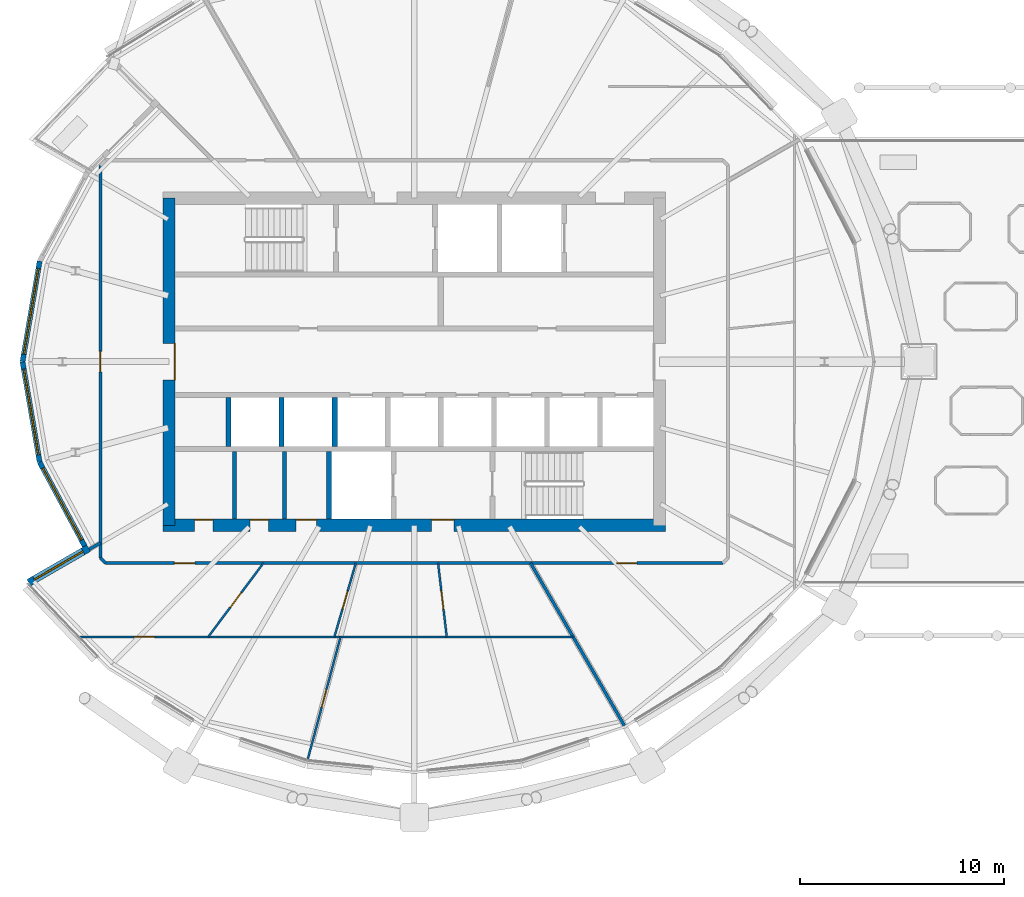
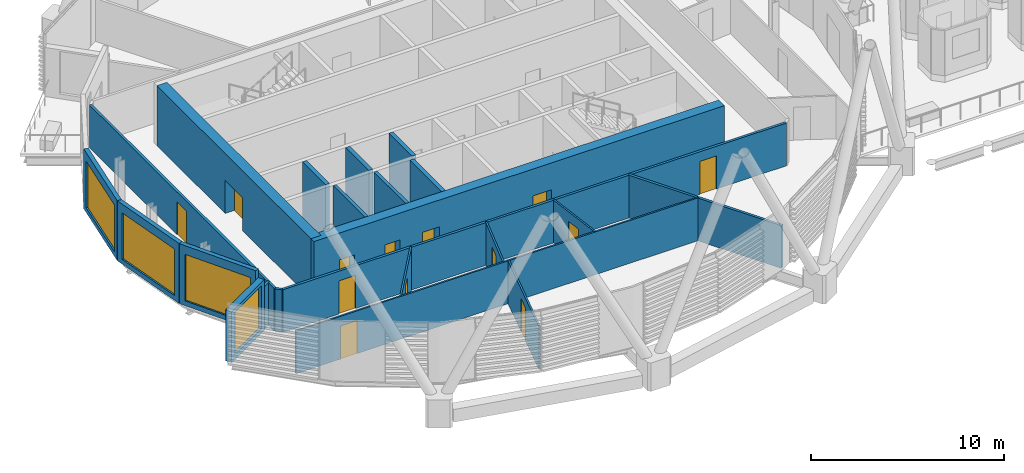
# One storey, part 22 of 38: 23 walls, 13 doors, 4 windows, 17 openings.
"""IFC4 building model written with IfcOpenShell, lengths in metres."""

from ifc_helpers import new_model, si_unit, direction, frame, frame_2d, origin, place, context, subcontext, project, spatial, rectangle, extrude, material, layer, layer_set, type_object, element, fill, save


model = new_model("IFC4")

# Units and contexts
model_context = context("Model", 3, precision=1e-05, world=origin(), true_north=direction((0.0, 1.0)))
body_context = subcontext(model_context, "Body", "Model", "MODEL_VIEW")
ifc_project = project(units=[si_unit("LENGTHUNIT", "METRE"), si_unit("AREAUNIT", "SQUARE_METRE"), si_unit("VOLUMEUNIT", "CUBIC_METRE"), si_unit("PLANEANGLEUNIT", "RADIAN"), si_unit("MASSUNIT", "GRAM", prefix="KILO")], contexts=[model_context])

# Site, building, storey
site_placement = place(None, origin())
site = spatial("IfcSite", under=ifc_project, at=site_placement, CompositionType="ELEMENT")
building_placement = place(site_placement, origin())
building = spatial("IfcBuilding", under=site, at=building_placement, Name="Rimbun Link Towers", CompositionType="ELEMENT")
storey_placement = place(building_placement, frame((0.0, 0.0, 158.89990234375)))
storey = spatial("IfcBuildingStorey", under=building, at=storey_placement, Name="L38", CompositionType="ELEMENT", Elevation=158.89990234375)

# Wall, opening, window
ifc_material_1 = material(Name="Dark enamelled glass spandrel on insulated aluminium backpan", Category="aluminium")
ifc_layer_1 = layer(ifc_material_1, 0.25)
ifc_layer_set_1 = layer_set([ifc_layer_1], Name="CS dark enamelled spandrel wall 250")
wall_type_1 = type_object("IfcWallType", Name="CS dark enamelled spandrel wall 250", PredefinedType="STANDARD", material=ifc_layer_set_1)
wall_1_placement = place(storey_placement, frame((-50.912841796875, 0.0, 0.0), z_axis=(0.0, 0.0, 1.0), x_axis=(0.167960198428, 0.985793777493, 0.0)))
wall_1 = element("IfcWall", 1, at=wall_1_placement, inside=storey, type_object=wall_type_1, Name="Crease spandrel wall", PredefinedType="STANDARD", context=body_context, shape_type="SweptSolid", body=[
    extrude(rectangle(XDim=4.989990234375, YDim=0.25, at=frame_2d((2.4951171875, 0.0))), origin(), (0.0, 0.0, 1.0), 3.800048828125),
])
opening_1_placement = place(wall_1_placement, frame((0.3701171875, 0.0, 0.300048828125)))
opening_1 = element("IfcOpeningElement", 2, at=opening_1_placement, cuts=wall_1, Name="Opening WR42H295", PredefinedType="OPENING", context=body_context, shape_type="SweptSolid", body=[
    extrude(rectangle(XDim=4.25, YDim=2.949951171875, at=frame_2d((2.125, 1.47509765625))), frame((0.0, 0.135009765625, 0.0), z_axis=(0.0, -1.0, 0.0), x_axis=(1.0, 0.0, 0.0)), (0.0, 0.0, 1.0), 0.27001953125),
])
ifc_material_2 = material(Name="Aluminium framed fixed window, dark tinted low-e glass", Category="aluminium")
window_type_1 = type_object("IfcWindowType", Name="WR ribbon window 4250X2950", PartitioningType="SINGLE_PANEL", PredefinedType="WINDOW", material=ifc_material_2)
window_1_placement = place(opening_1_placement, origin())
window_1 = element("IfcWindow", 3, at=window_1_placement, inside=storey, type_object=window_type_1, Name="Crease ribbon window", OverallHeight=2.949951171875, OverallWidth=4.25, PartitioningType="SINGLE_PANEL", PredefinedType="WINDOW", context=body_context, shape_type="SweptSolid", body=[
    extrude(rectangle(XDim=4.25, YDim=2.949951171875, at=frame_2d((2.125, 1.47509765625))), frame((0.0, 0.030029296875, 0.0), z_axis=(0.0, -1.0, 0.0), x_axis=(1.0, 0.0, 0.0)), (0.0, 0.0, 1.0), 0.06005859375),
])
fill(opening_1, window_1)

wall_2_placement = place(storey_placement, frame((-50.07470703125, -4.919189453125, 0.0), z_axis=(0.0, 0.0, 1.0), x_axis=(-0.167960198428, 0.985793777493, 0.0)))
wall_2 = element("IfcWall", 4, at=wall_2_placement, inside=storey, type_object=wall_type_1, Name="Crease spandrel wall", PredefinedType="STANDARD", context=body_context, shape_type="SweptSolid", body=[
    extrude(rectangle(XDim=4.989990234375, YDim=0.25, at=frame_2d((2.4951171875, 0.0))), origin(), (0.0, 0.0, 1.0), 3.800048828125),
])
opening_2_placement = place(wall_2_placement, frame((0.3701171875, 0.0, 0.300048828125)))
opening_2 = element("IfcOpeningElement", 5, at=opening_2_placement, cuts=wall_2, Name="Opening WR42H295", PredefinedType="OPENING", context=body_context, shape_type="SweptSolid", body=[
    extrude(rectangle(XDim=4.25, YDim=2.949951171875, at=frame_2d((2.125, 1.47509765625))), frame((0.0, 0.135009765625, 0.0), z_axis=(0.0, -1.0, 0.0), x_axis=(1.0, 0.0, 0.0)), (0.0, 0.0, 1.0), 0.27001953125),
])
window_2_placement = place(opening_2_placement, origin())
window_2 = element("IfcWindow", 6, at=window_2_placement, inside=storey, type_object=window_type_1, Name="Crease ribbon window", OverallHeight=2.949951171875, OverallWidth=4.25, PartitioningType="SINGLE_PANEL", PredefinedType="WINDOW", context=body_context, shape_type="SweptSolid", body=[
    extrude(rectangle(XDim=4.25, YDim=2.949951171875, at=frame_2d((2.125, 1.47509765625))), frame((0.0, 0.030029296875, 0.0), z_axis=(0.0, -1.0, 0.0), x_axis=(1.0, 0.0, 0.0)), (0.0, 0.0, 1.0), 0.06005859375),
])
fill(opening_2, window_2)

wall_3_placement = place(storey_placement, frame((-47.872314453125, -9.01953125, 0.0), z_axis=(0.0, 0.0, 1.0), x_axis=(-0.473186197198, 0.880962441186, 0.0)))
wall_3 = element("IfcWall", 7, at=wall_3_placement, inside=storey, type_object=wall_type_1, Name="Crease spandrel wall", PredefinedType="STANDARD", context=body_context, shape_type="SweptSolid", body=[
    extrude(rectangle(XDim=4.654296875, YDim=0.25, at=frame_2d((2.3271484375, 0.0))), origin(), (0.0, 0.0, 1.0), 3.800048828125),
])
opening_3_placement = place(wall_3_placement, frame((0.3271484375, 0.0, 0.300048828125)))
opening_3 = element("IfcOpeningElement", 8, at=opening_3_placement, cuts=wall_3, Name="Opening WR40H295", PredefinedType="OPENING", context=body_context, shape_type="SweptSolid", body=[
    extrude(rectangle(XDim=4.0, YDim=2.949951171875, at=frame_2d((2.0, 1.47509765625))), frame((0.0, 0.135009765625, 0.0), z_axis=(0.0, -1.0, 0.0), x_axis=(1.0, 0.0, 0.0)), (0.0, 0.0, 1.0), 0.27001953125),
])
ifc_material_3 = material(Name="Aluminium framed fixed window, dark tinted low-e glass", Category="aluminium")
window_type_2 = type_object("IfcWindowType", Name="WR ribbon window 4000X2950", PartitioningType="SINGLE_PANEL", PredefinedType="WINDOW", material=ifc_material_3)
window_3_placement = place(opening_3_placement, origin())
window_3 = element("IfcWindow", 9, at=window_3_placement, inside=storey, type_object=window_type_2, Name="Crease ribbon window", OverallHeight=2.949951171875, OverallWidth=4.0, PartitioningType="SINGLE_PANEL", PredefinedType="WINDOW", context=body_context, shape_type="SweptSolid", body=[
    extrude(rectangle(XDim=4.0, YDim=2.949951171875, at=frame_2d((2.0, 1.47509765625))), frame((0.0, 0.030029296875, 0.0), z_axis=(0.0, -1.0, 0.0), x_axis=(1.0, 0.0, 0.0)), (0.0, 0.0, 1.0), 0.06005859375),
])
fill(opening_3, window_3)

ifc_material_4 = material(Name="Dark enamelled glass spandrel on insulated aluminium backpan", Category="aluminium")
ifc_layer_2 = layer(ifc_material_4, 0.3701171875)
ifc_layer_set_2 = layer_set([ifc_layer_2], Name="CS dark enamelled spandrel wall 370")
wall_type_2 = type_object("IfcWallType", Name="CS dark enamelled spandrel wall 370", PredefinedType="STANDARD", material=ifc_layer_set_2)
wall_4_placement = place(storey_placement, frame((-50.60546875, -10.81103515625, 0.0), z_axis=(0.0, 0.0, 1.0), x_axis=(0.866038843867, 0.499976720371, 0.0)))
wall_4 = element("IfcWall", 10, at=wall_4_placement, inside=storey, type_object=wall_type_2, Name="Crease spandrel wall", PredefinedType="STANDARD", context=body_context, shape_type="SweptSolid", body=[
    extrude(rectangle(XDim=3.380126953125, YDim=0.3701171875, at=frame_2d((1.68994140625, 0.0))), origin(), (0.0, 0.0, 1.0), 3.233642578125),
])
opening_4_placement = place(wall_4_placement, frame((0.31494140625, 0.0, 0.300048828125)))
opening_4 = element("IfcOpeningElement", 11, at=opening_4_placement, cuts=wall_4, Name="Opening WR28H270", PredefinedType="OPENING", context=body_context, shape_type="SweptSolid", body=[
    extrude(rectangle(XDim=2.75, YDim=2.699951171875, at=frame_2d((1.375, 1.35009765625))), frame((0.0, 0.195068359375, 0.0), z_axis=(0.0, -1.0, 0.0), x_axis=(1.0, 0.0, 0.0)), (0.0, 0.0, 1.0), 0.39013671875),
])
ifc_material_5 = material(Name="Aluminium framed fixed window, dark tinted low-e glass", Category="aluminium")
window_type_3 = type_object("IfcWindowType", Name="WR ribbon window 2750X2700", PartitioningType="SINGLE_PANEL", PredefinedType="WINDOW", material=ifc_material_5)
window_4_placement = place(opening_4_placement, origin())
window_4 = element("IfcWindow", 12, at=window_4_placement, inside=storey, type_object=window_type_3, Name="Crease ribbon window", OverallHeight=2.699951171875, OverallWidth=2.75, PartitioningType="SINGLE_PANEL", PredefinedType="WINDOW", context=body_context, shape_type="SweptSolid", body=[
    extrude(rectangle(XDim=2.75, YDim=2.699951171875, at=frame_2d((1.375, 1.35009765625))), frame((0.0, 0.030029296875, 0.0), z_axis=(0.0, -1.0, 0.0), x_axis=(1.0, 0.0, 0.0)), (0.0, 0.0, 1.0), 0.06005859375),
])
fill(opening_4, window_4)

# Walls
ifc_material_6 = material(Name="Masonry blockwork", Category="masonry")
ifc_layer_3 = layer(ifc_material_6, 0.199951171875)
ifc_layer_set_3 = layer_set([ifc_layer_3], Name="Core partition 200")
wall_type_3 = type_object("IfcWallType", Name="Core partition 200", PredefinedType="PARTITIONING", material=ifc_layer_set_3)
for number, where, z_axis, x_axis, name in (
    (13, (-40.550048828125, -4.39990234375, 0.0), (0.0, 0.0, 1.0), (0.0, -1.0, 0.0), "L38 T1 core wall C1"),
    (14, (-38.10009765625, -4.39990234375, 0.0), (0.0, 0.0, 1.0), (0.0, -1.0, 0.0), "L38 T1 core wall C2"),
):
    element("IfcWall", number, at=place(storey_placement, frame(where, z_axis=z_axis, x_axis=x_axis)), inside=storey, type_object=wall_type_3, Name=name, PredefinedType="PARTITIONING", context=body_context, shape_type="SweptSolid", body=[
        extrude(rectangle(XDim=3.300048828125, YDim=0.199951171875, at=frame_2d((1.64990234375, 0.0))), origin(), (0.0, 0.0, 1.0), 3.800048828125),
    ])

# Wall, openings, doors
ifc_material_7 = material(Name="Concrete C60/75", Category="concrete")
ifc_layer_4 = layer(ifc_material_7, 0.60009765625)
ifc_layer_set_4 = layer_set([ifc_layer_4], Name="Core shear wall 600")
wall_type_4 = type_object("IfcWallType", Name="Core shear wall 600", PredefinedType="SHEAR", material=ifc_layer_set_4)
wall_5_placement = place(storey_placement, frame((-44.050048828125, -8.0, 0.0), z_axis=(0.0, 0.0, 1.0), x_axis=(1.0, 0.0, 0.0)))
wall_5 = element("IfcWall", 15, at=wall_5_placement, inside=storey, type_object=wall_type_4, Name="L38 T1 core wall S", PredefinedType="SHEAR", context=body_context, shape_type="SweptSolid", body=[
    extrude(rectangle(XDim=24.60009765625, YDim=0.60009765625, at=frame_2d((12.300048828125, 0.0))), origin(), (0.0, 0.0, 1.0), 3.800048828125),
])
opening_5_placement = place(wall_5_placement, frame((13.14990234375, 0.0, 0.0)))
opening_5 = element("IfcOpeningElement", 16, at=opening_5_placement, cuts=wall_5, Name="Opening C1DCF01S", PredefinedType="OPENING", context=body_context, shape_type="SweptSolid", body=[
    extrude(rectangle(XDim=1.10009765625, YDim=2.10009765625, at=frame_2d((0.550048828125, 1.050048828125))), frame((0.0, 0.31005859375, 0.0), z_axis=(0.0, -1.0, 0.0), x_axis=(1.0, 0.0, 0.0)), (0.0, 0.0, 1.0), 0.6201171875),
])
opening_6_placement = place(wall_5_placement, frame((1.550048828125, 0.0, 0.0)))
opening_6 = element("IfcOpeningElement", 17, at=opening_6_placement, cuts=wall_5, Name="Opening C1DWC02S", PredefinedType="OPENING", context=body_context, shape_type="SweptSolid", body=[
    extrude(rectangle(XDim=0.89990234375, YDim=2.10009765625, at=frame_2d((0.449951171875, 1.050048828125))), frame((0.0, 0.31005859375, 0.0), z_axis=(0.0, -1.0, 0.0), x_axis=(1.0, 0.0, 0.0)), (0.0, 0.0, 1.0), 0.6201171875),
])
opening_7_placement = place(wall_5_placement, frame((4.27490234375, 0.0, 0.0)))
opening_7 = element("IfcOpeningElement", 18, at=opening_7_placement, cuts=wall_5, Name="Opening C1DWC03S", PredefinedType="OPENING", context=body_context, shape_type="SweptSolid", body=[
    extrude(rectangle(XDim=0.89990234375, YDim=2.10009765625, at=frame_2d((0.449951171875, 1.050048828125))), frame((0.0, 0.31005859375, 0.0), z_axis=(0.0, -1.0, 0.0), x_axis=(1.0, 0.0, 0.0)), (0.0, 0.0, 1.0), 0.6201171875),
])
opening_8_placement = place(wall_5_placement, frame((6.52490234375, 0.0, 0.0)))
opening_8 = element("IfcOpeningElement", 19, at=opening_8_placement, cuts=wall_5, Name="Opening C1DAW04S", PredefinedType="OPENING", context=body_context, shape_type="SweptSolid", body=[
    extrude(rectangle(XDim=1.0, YDim=2.10009765625, at=frame_2d((0.5, 1.050048828125))), frame((0.0, 0.31005859375, 0.0), z_axis=(0.0, -1.0, 0.0), x_axis=(1.0, 0.0, 0.0)), (0.0, 0.0, 1.0), 0.6201171875),
])
ifc_material_8 = material(Name="Timber", Category="wood")
door_type_1 = type_object("IfcDoorType", Name="Accessible WC door", OperationType="SINGLE_SWING_LEFT", PredefinedType="DOOR", material=ifc_material_8)
door_1_placement = place(opening_8_placement, origin())
door_1 = element("IfcDoor", 20, at=door_1_placement, inside=storey, type_object=door_type_1, Name="L38 T1 accessible wc door", OperationType="SINGLE_SWING_RIGHT", OverallHeight=2.10009765625, OverallWidth=1.0, PredefinedType="DOOR", context=body_context, shape_type="SweptSolid", body=[
    extrude(rectangle(XDim=1.0, YDim=2.10009765625, at=frame_2d((0.5, 1.050048828125))), frame((0.0, 0.2998046875, 0.0), z_axis=(0.0, -1.0, 0.0), x_axis=(1.0, 0.0, 0.0)), (0.0, 0.0, 1.0), 0.050048828125),
])
fill(opening_8, door_1)
ifc_material_9 = material(Name="Steel fire door set", Category="steel")
door_type_2 = type_object("IfcDoorType", Name="Core fire door single", OperationType="SINGLE_SWING_LEFT", PredefinedType="DOOR", material=ifc_material_9)
door_2_placement = place(opening_5_placement, origin())
door_2 = element("IfcDoor", 21, at=door_2_placement, inside=storey, type_object=door_type_2, Name="L38 T1 firefighting lobby s door", OperationType="SINGLE_SWING_LEFT", OverallHeight=2.10009765625, OverallWidth=1.10009765625, PredefinedType="DOOR", context=body_context, shape_type="SweptSolid", body=[
    extrude(rectangle(XDim=1.10009765625, YDim=2.10009765625, at=frame_2d((0.550048828125, 1.050048828125))), frame((0.0, 0.2998046875, 0.0), z_axis=(0.0, -1.0, 0.0), x_axis=(1.0, 0.0, 0.0)), (0.0, 0.0, 1.0), 0.050048828125),
])
fill(opening_5, door_2)
ifc_material_10 = material(Name="Timber", Category="wood")
door_type_3 = type_object("IfcDoorType", Name="WC door", OperationType="SINGLE_SWING_LEFT", PredefinedType="DOOR", material=ifc_material_10)
door_3_placement = place(opening_6_placement, origin())
door_3 = element("IfcDoor", 22, at=door_3_placement, inside=storey, type_object=door_type_3, Name="L38 T1 male wc door", OperationType="SINGLE_SWING_RIGHT", OverallHeight=2.10009765625, OverallWidth=0.89990234375, PredefinedType="DOOR", context=body_context, shape_type="SweptSolid", body=[
    extrude(rectangle(XDim=0.89990234375, YDim=2.10009765625, at=frame_2d((0.449951171875, 1.050048828125))), frame((0.0, 0.2998046875, 0.0), z_axis=(0.0, -1.0, 0.0), x_axis=(1.0, 0.0, 0.0)), (0.0, 0.0, 1.0), 0.050048828125),
])
fill(opening_6, door_3)
door_4_placement = place(opening_7_placement, origin())
door_4 = element("IfcDoor", 23, at=door_4_placement, inside=storey, type_object=door_type_3, Name="L38 T1 female wc door", OperationType="SINGLE_SWING_RIGHT", OverallHeight=2.10009765625, OverallWidth=0.89990234375, PredefinedType="DOOR", context=body_context, shape_type="SweptSolid", body=[
    extrude(rectangle(XDim=0.89990234375, YDim=2.10009765625, at=frame_2d((0.449951171875, 1.050048828125))), frame((0.0, 0.2998046875, 0.0), z_axis=(0.0, -1.0, 0.0), x_axis=(1.0, 0.0, 0.0)), (0.0, 0.0, 1.0), 0.050048828125),
])
fill(opening_7, door_4)

# Wall, opening, door
wall_6_placement = place(storey_placement, frame((-43.75, -8.0, 0.0), z_axis=(0.0, 0.0, 1.0), x_axis=(0.0, 1.0, 0.0)))
wall_6 = element("IfcWall", 24, at=wall_6_placement, inside=storey, type_object=wall_type_4, Name="L38 T1 core wall W", PredefinedType="SHEAR", context=body_context, shape_type="SweptSolid", body=[
    extrude(rectangle(XDim=16.0, YDim=0.60009765625, at=frame_2d((8.0, 0.0))), origin(), (0.0, 0.0, 1.0), 3.800048828125),
])
opening_9_placement = place(wall_6_placement, frame((7.10009765625, 0.0, 0.0)))
opening_9 = element("IfcOpeningElement", 25, at=opening_9_placement, cuts=wall_6, Name="Opening C1DCL01W", PredefinedType="OPENING", context=body_context, shape_type="SweptSolid", body=[
    extrude(rectangle(XDim=1.800048828125, YDim=2.10009765625, at=frame_2d((0.89990234375, 1.050048828125))), frame((0.0, 0.31005859375, 0.0), z_axis=(0.0, -1.0, 0.0), x_axis=(1.0, 0.0, 0.0)), (0.0, 0.0, 1.0), 0.6201171875),
])
ifc_material_11 = material(Name="Steel fire door set", Category="steel")
door_type_4 = type_object("IfcDoorType", Name="Core lobby door double", OperationType="DOUBLE_DOOR_SINGLE_SWING", PredefinedType="DOOR", material=ifc_material_11)
door_5_placement = place(opening_9_placement, origin())
door_5 = element("IfcDoor", 26, at=door_5_placement, inside=storey, type_object=door_type_4, Name="L38 T1 lift lobby door", OperationType="DOUBLE_DOOR_SINGLE_SWING", OverallHeight=2.10009765625, OverallWidth=1.800048828125, PredefinedType="DOOR", context=body_context, shape_type="SweptSolid", body=[
    extrude(rectangle(XDim=1.800048828125, YDim=2.10009765625, at=frame_2d((0.89990234375, 1.050048828125))), frame((0.0, -0.25, 0.0), z_axis=(0.0, -1.0, 0.0), x_axis=(1.0, 0.0, 0.0)), (0.0, 0.0, 1.0), 0.050048828125),
])
fill(opening_9, door_5)

# Wall, openings, doors
ifc_material_12 = material(Name="Plasterboard on steel stud, mineral wool", Category="steel")
ifc_layer_5 = layer(ifc_material_12, 0.14990234375)
ifc_layer_set_5 = layer_set([ifc_layer_5], Name="Corridor wall EI 30 150 mm")
wall_type_5 = type_object("IfcWallType", Name="Corridor wall EI 30 150 mm", PredefinedType="PARTITIONING", material=ifc_layer_set_5)
wall_7_placement = place(storey_placement, frame((-16.65625, -9.85498046875, 0.0), z_axis=(0.0, 0.0, 1.0), x_axis=(-1.0, 0.0, 0.0)))
wall_7 = element("IfcWall", 27, at=wall_7_placement, inside=storey, type_object=wall_type_5, Name="Corridor wall EI 30 150 mm", PredefinedType="PARTITIONING", context=body_context, shape_type="SweptSolid", body=[
    extrude(rectangle(XDim=30.1875, YDim=0.14990234375, at=frame_2d((15.09375, 0.0))), origin(), (0.0, 0.0, 1.0), 2.712158203125),
])
opening_10_placement = place(wall_7_placement, frame((25.830810546875, 0.0, 0.0)))
opening_10 = element("IfcOpeningElement", 28, at=opening_10_placement, cuts=wall_7, Name="Opening D01", PredefinedType="OPENING", context=body_context, shape_type="SweptSolid", body=[
    extrude(rectangle(XDim=1.0, YDim=2.10009765625, at=frame_2d((0.5, 1.050048828125))), frame((0.0, 0.0849609375, 0.0), z_axis=(0.0, -1.0, 0.0), x_axis=(1.0, 0.0, 0.0)), (0.0, 0.0, 1.0), 0.169921875),
])
opening_11_placement = place(wall_7_placement, frame((4.201904296875, 0.0, 0.0)))
opening_11 = element("IfcOpeningElement", 29, at=opening_11_placement, cuts=wall_7, Name="Opening D01", PredefinedType="OPENING", context=body_context, shape_type="SweptSolid", body=[
    extrude(rectangle(XDim=1.0, YDim=2.10009765625, at=frame_2d((0.5, 1.050048828125))), frame((0.0, 0.0849609375, 0.0), z_axis=(0.0, -1.0, 0.0), x_axis=(1.0, 0.0, 0.0)), (0.0, 0.0, 1.0), 0.169921875),
])
ifc_material_13 = material(Name="Fire-resisting timber door leaf", Category="wood")
door_type_5 = type_object("IfcDoorType", Name="Fire door FD30S 1000", OperationType="NOTDEFINED", PredefinedType="DOOR", material=ifc_material_13)
door_6_placement = place(opening_10_placement, origin())
door_6 = element("IfcDoor", 30, at=door_6_placement, inside=storey, type_object=door_type_5, Name="Fire door FD30S 1000 to Tenant lobby", OperationType="SINGLE_SWING_LEFT", OverallHeight=2.10009765625, OverallWidth=1.0, PredefinedType="DOOR", context=body_context, shape_type="SweptSolid", body=[
    extrude(rectangle(XDim=1.0, YDim=2.10009765625, at=frame_2d((0.5, 1.050048828125))), frame((0.0, 0.02490234375, 0.0), z_axis=(0.0, -1.0, 0.0), x_axis=(1.0, 0.0, 0.0)), (0.0, 0.0, 1.0), 0.050048828125),
])
fill(opening_10, door_6)
door_7_placement = place(opening_11_placement, origin())
door_7 = element("IfcDoor", 31, at=door_7_placement, inside=storey, type_object=door_type_5, Name="Fire door FD30S 1000 to Tenant lobby", OperationType="SINGLE_SWING_RIGHT", OverallHeight=2.10009765625, OverallWidth=1.0, PredefinedType="DOOR", context=body_context, shape_type="SweptSolid", body=[
    extrude(rectangle(XDim=1.0, YDim=2.10009765625, at=frame_2d((0.5, 1.050048828125))), frame((0.0, 0.02490234375, 0.0), z_axis=(0.0, -1.0, 0.0), x_axis=(1.0, 0.0, 0.0)), (0.0, 0.0, 1.0), 0.050048828125),
])
fill(opening_11, door_7)

# Wall
wall_8_placement = place(storey_placement, frame((-47.10498046875, -9.59375, 0.0), z_axis=(0.0, 0.0, 1.0), x_axis=(0.707106781187, -0.707106781187, 0.0)))
element("IfcWall", 32, at=wall_8_placement, inside=storey, type_object=wall_type_5, Name="Corridor wall EI 30 150 mm", PredefinedType="PARTITIONING", context=body_context, shape_type="SweptSolid", body=[
    extrude(rectangle(XDim=0.369384765625, YDim=0.14990234375, at=frame_2d((0.1845703125, 0.0))), origin(), (0.0, 0.0, 1.0), 2.712158203125),
])

# Wall, opening, door
wall_9_placement = place(storey_placement, frame((-47.10498046875, -9.59375, 0.0), z_axis=(0.0, 0.0, 1.0), x_axis=(0.0, 1.0, 0.0)))
wall_9 = element("IfcWall", 33, at=wall_9_placement, inside=storey, type_object=wall_type_5, Name="Corridor wall EI 30 150 mm", PredefinedType="PARTITIONING", context=body_context, shape_type="SweptSolid", body=[
    extrude(rectangle(XDim=19.1875, YDim=0.14990234375, at=frame_2d((9.59375, 0.0))), origin(), (0.0, 0.0, 1.0), 2.712158203125),
])
opening_12_placement = place(wall_9_placement, frame((9.09375, 0.0, 0.0)))
opening_12 = element("IfcOpeningElement", 34, at=opening_12_placement, cuts=wall_9, Name="Opening D01", PredefinedType="OPENING", context=body_context, shape_type="SweptSolid", body=[
    extrude(rectangle(XDim=1.0, YDim=2.10009765625, at=frame_2d((0.5, 1.050048828125))), frame((0.0, 0.0849609375, 0.0), z_axis=(0.0, -1.0, 0.0), x_axis=(1.0, 0.0, 0.0)), (0.0, 0.0, 1.0), 0.169921875),
])
door_8_placement = place(opening_12_placement, origin())
door_8 = element("IfcDoor", 35, at=door_8_placement, inside=storey, type_object=door_type_5, Name="Fire door FD30S 1000 to Terrace office", OperationType="SINGLE_SWING_LEFT", OverallHeight=2.10009765625, OverallWidth=1.0, PredefinedType="DOOR", context=body_context, shape_type="SweptSolid", body=[
    extrude(rectangle(XDim=1.0, YDim=2.10009765625, at=frame_2d((0.5, 1.050048828125))), frame((0.0, 0.02490234375, 0.0), z_axis=(0.0, -1.0, 0.0), x_axis=(1.0, 0.0, 0.0)), (0.0, 0.0, 1.0), 0.050048828125),
])
fill(opening_12, door_8)

ifc_material_14 = material(Name="Plasterboard on steel stud", Category="steel")
ifc_layer_6 = layer(ifc_material_14, 0.10009765625)
ifc_layer_set_6 = layer_set([ifc_layer_6], Name="Plasterboard partition 100 mm")
wall_type_6 = type_object("IfcWallType", Name="Plasterboard partition 100 mm", PredefinedType="PARTITIONING", material=ifc_layer_set_6)
wall_10_placement = place(storey_placement, frame((-39.130859375, -9.85498046875, 0.0), z_axis=(0.0, 0.0, 1.0), x_axis=(-0.599426637137, -0.800429701279, 0.0)))
wall_10 = element("IfcWall", 36, at=wall_10_placement, inside=storey, type_object=wall_type_6, Name="Plasterboard partition 100 mm", PredefinedType="PARTITIONING", context=body_context, shape_type="SweptSolid", body=[
    extrude(rectangle(XDim=4.497802734375, YDim=0.10009765625, at=frame_2d((2.2490234375, 0.0))), origin(), (0.0, 0.0, 1.0), 2.712158203125),
])
opening_13_placement = place(wall_10_placement, frame((1.798828125, 0.0, 0.0)))
opening_13 = element("IfcOpeningElement", 37, at=opening_13_placement, cuts=wall_10, Name="Opening D04", PredefinedType="OPENING", context=body_context, shape_type="SweptSolid", body=[
    extrude(rectangle(XDim=0.89990234375, YDim=2.10009765625, at=frame_2d((0.449951171875, 1.050048828125))), frame((0.0, 0.06005859375, 0.0), z_axis=(0.0, -1.0, 0.0), x_axis=(1.0, 0.0, 0.0)), (0.0, 0.0, 1.0), 0.1201171875),
])
ifc_material_15 = material(Name="Timber door leaf", Category="wood")
door_type_6 = type_object("IfcDoorType", Name="Flush door 900", OperationType="NOTDEFINED", PredefinedType="DOOR", material=ifc_material_15)
door_9_placement = place(opening_13_placement, origin())
door_9 = element("IfcDoor", 38, at=door_9_placement, inside=storey, type_object=door_type_6, Name="Flush door 900 to Huddle room", OperationType="SINGLE_SWING_RIGHT", OverallHeight=2.10009765625, OverallWidth=0.89990234375, PredefinedType="DOOR", context=body_context, shape_type="SweptSolid", body=[
    extrude(rectangle(XDim=0.89990234375, YDim=2.10009765625, at=frame_2d((0.449951171875, 1.050048828125))), frame((0.0, 0.02490234375, 0.0), z_axis=(0.0, -1.0, 0.0), x_axis=(1.0, 0.0, 0.0)), (0.0, 0.0, 1.0), 0.050048828125),
])
fill(opening_13, door_9)

wall_11_placement = place(storey_placement, frame((-35.355224609375, -13.455078125, 0.0), z_axis=(0.0, 0.0, 1.0), x_axis=(-1.0, 0.0, 0.0)))
wall_11 = element("IfcWall", 39, at=wall_11_placement, inside=storey, type_object=wall_type_6, Name="Plasterboard partition 100 mm", PredefinedType="PARTITIONING", context=body_context, shape_type="SweptSolid", body=[
    extrude(rectangle(XDim=12.763671875, YDim=0.10009765625, at=frame_2d((6.3818359375, 0.0))), origin(), (0.0, 0.0, 1.0), 2.712158203125),
])
opening_14_placement = place(wall_11_placement, frame((9.098876953125, 0.0, 0.0)))
opening_14 = element("IfcOpeningElement", 40, at=opening_14_placement, cuts=wall_11, Name="Opening D03", PredefinedType="OPENING", context=body_context, shape_type="SweptSolid", body=[
    extrude(rectangle(XDim=1.0, YDim=2.10009765625, at=frame_2d((0.5, 1.050048828125))), frame((0.0, 0.06005859375, 0.0), z_axis=(0.0, -1.0, 0.0), x_axis=(1.0, 0.0, 0.0)), (0.0, 0.0, 1.0), 0.1201171875),
])
ifc_material_16 = material(Name="Timber door leaf", Category="wood")
door_type_7 = type_object("IfcDoorType", Name="Flush door 1000", OperationType="NOTDEFINED", PredefinedType="DOOR", material=ifc_material_16)
door_10_placement = place(opening_14_placement, origin())
door_10 = element("IfcDoor", 41, at=door_10_placement, inside=storey, type_object=door_type_7, Name="Flush door 1000 to Open office", OperationType="SINGLE_SWING_LEFT", OverallHeight=2.10009765625, OverallWidth=1.0, PredefinedType="DOOR", context=body_context, shape_type="SweptSolid", body=[
    extrude(rectangle(XDim=1.0, YDim=2.10009765625, at=frame_2d((0.5, 1.050048828125))), frame((0.0, 0.02490234375, 0.0), z_axis=(0.0, -1.0, 0.0), x_axis=(1.0, 0.0, 0.0)), (0.0, 0.0, 1.0), 0.050048828125),
])
fill(opening_14, door_10)

wall_12_placement = place(storey_placement, frame((-34.611083984375, -9.85498046875, 0.0), z_axis=(0.0, 0.0, 1.0), x_axis=(-0.27880438227, -0.960347914262, 0.0)))
wall_12 = element("IfcWall", 42, at=wall_12_placement, inside=storey, type_object=wall_type_6, Name="Plasterboard partition 100 mm", PredefinedType="PARTITIONING", context=body_context, shape_type="SweptSolid", body=[
    extrude(rectangle(XDim=3.748779296875, YDim=0.10009765625, at=frame_2d((1.87451171875, 0.0))), origin(), (0.0, 0.0, 1.0), 2.712158203125),
])
opening_15_placement = place(wall_12_placement, frame((1.42431640625, 0.0, 0.0)))
opening_15 = element("IfcOpeningElement", 43, at=opening_15_placement, cuts=wall_12, Name="Opening D04", PredefinedType="OPENING", context=body_context, shape_type="SweptSolid", body=[
    extrude(rectangle(XDim=0.89990234375, YDim=2.10009765625, at=frame_2d((0.449951171875, 1.050048828125))), frame((0.0, 0.06005859375, 0.0), z_axis=(0.0, -1.0, 0.0), x_axis=(1.0, 0.0, 0.0)), (0.0, 0.0, 1.0), 0.1201171875),
])
door_11_placement = place(opening_15_placement, origin())
door_11 = element("IfcDoor", 44, at=door_11_placement, inside=storey, type_object=door_type_6, Name="Flush door 900 to Huddle room", OperationType="SINGLE_SWING_RIGHT", OverallHeight=2.10009765625, OverallWidth=0.89990234375, PredefinedType="DOOR", context=body_context, shape_type="SweptSolid", body=[
    extrude(rectangle(XDim=0.89990234375, YDim=2.10009765625, at=frame_2d((0.449951171875, 1.050048828125))), frame((0.0, 0.02490234375, 0.0), z_axis=(0.0, -1.0, 0.0), x_axis=(1.0, 0.0, 0.0)), (0.0, 0.0, 1.0), 0.050048828125),
])
fill(opening_15, door_11)

wall_13_placement = place(storey_placement, frame((-30.586669921875, -9.85498046875, 0.0), z_axis=(0.0, 0.0, 1.0), x_axis=(0.117185104902, -0.993110090166, 0.0)))
wall_13 = element("IfcWall", 45, at=wall_13_placement, inside=storey, type_object=wall_type_6, Name="Plasterboard partition 100 mm", PredefinedType="PARTITIONING", context=body_context, shape_type="SweptSolid", body=[
    extrude(rectangle(XDim=3.625, YDim=0.10009765625, at=frame_2d((1.8125, 0.0))), origin(), (0.0, 0.0, 1.0), 2.712158203125),
])
opening_16_placement = place(wall_13_placement, frame((1.362548828125, 0.0, 0.0)))
opening_16 = element("IfcOpeningElement", 46, at=opening_16_placement, cuts=wall_13, Name="Opening D04", PredefinedType="OPENING", context=body_context, shape_type="SweptSolid", body=[
    extrude(rectangle(XDim=0.89990234375, YDim=2.10009765625, at=frame_2d((0.449951171875, 1.050048828125))), frame((0.0, 0.06005859375, 0.0), z_axis=(0.0, -1.0, 0.0), x_axis=(1.0, 0.0, 0.0)), (0.0, 0.0, 1.0), 0.1201171875),
])
door_12_placement = place(opening_16_placement, origin())
door_12 = element("IfcDoor", 47, at=door_12_placement, inside=storey, type_object=door_type_6, Name="Flush door 900 to Pantry", OperationType="SINGLE_SWING_LEFT", OverallHeight=2.10009765625, OverallWidth=0.89990234375, PredefinedType="DOOR", context=body_context, shape_type="SweptSolid", body=[
    extrude(rectangle(XDim=0.89990234375, YDim=2.10009765625, at=frame_2d((0.449951171875, 1.050048828125))), frame((0.0, 0.02490234375, 0.0), z_axis=(0.0, -1.0, 0.0), x_axis=(1.0, 0.0, 0.0)), (0.0, 0.0, 1.0), 0.050048828125),
])
fill(opening_16, door_12)

# Wall
wall_14_placement = place(storey_placement, frame((-35.355224609375, -13.455078125, 0.0), z_axis=(0.0, 0.0, 1.0), x_axis=(1.0, 0.0, 0.0)))
element("IfcWall", 48, at=wall_14_placement, inside=storey, type_object=wall_type_6, Name="Plasterboard partition 100 mm", PredefinedType="PARTITIONING", context=body_context, shape_type="SweptSolid", body=[
    extrude(rectangle(XDim=11.37353515625, YDim=0.10009765625, at=frame_2d((5.686767578125, 0.0))), origin(), (0.0, 0.0, 1.0), 2.712158203125),
])

# Wall, opening, door
wall_15_placement = place(storey_placement, frame((-35.355224609375, -13.455078125, 0.0), z_axis=(0.0, 0.0, 1.0), x_axis=(-0.25881431183, -0.965927094553, 0.0)))
wall_15 = element("IfcWall", 49, at=wall_15_placement, inside=storey, type_object=wall_type_6, Name="Plasterboard partition 100 mm", PredefinedType="PARTITIONING", context=body_context, shape_type="SweptSolid", body=[
    extrude(rectangle(XDim=6.239990234375, YDim=0.10009765625, at=frame_2d((3.1201171875, 0.0))), origin(), (0.0, 0.0, 1.0), 2.712158203125),
])
opening_17_placement = place(wall_15_placement, frame((2.669921875, 0.0, 0.0)))
opening_17 = element("IfcOpeningElement", 50, at=opening_17_placement, cuts=wall_15, Name="Opening D04", PredefinedType="OPENING", context=body_context, shape_type="SweptSolid", body=[
    extrude(rectangle(XDim=0.89990234375, YDim=2.10009765625, at=frame_2d((0.449951171875, 1.050048828125))), frame((0.0, 0.06005859375, 0.0), z_axis=(0.0, -1.0, 0.0), x_axis=(1.0, 0.0, 0.0)), (0.0, 0.0, 1.0), 0.1201171875),
])
door_13_placement = place(opening_17_placement, origin())
door_13 = element("IfcDoor", 51, at=door_13_placement, inside=storey, type_object=door_type_6, Name="Flush door 900 to Project room", OperationType="SINGLE_SWING_RIGHT", OverallHeight=2.10009765625, OverallWidth=0.89990234375, PredefinedType="DOOR", context=body_context, shape_type="SweptSolid", body=[
    extrude(rectangle(XDim=0.89990234375, YDim=2.10009765625, at=frame_2d((0.449951171875, 1.050048828125))), frame((0.0, 0.02490234375, 0.0), z_axis=(0.0, -1.0, 0.0), x_axis=(1.0, 0.0, 0.0)), (0.0, 0.0, 1.0), 0.050048828125),
])
fill(opening_17, door_13)

# Walls
ifc_material_17 = material(Name="Concrete C60/75", Category="concrete")
ifc_layer_7 = layer(ifc_material_17, 0.25)
ifc_layer_set_7 = layer_set([ifc_layer_7], Name="Shaft wall 250")
wall_type_7 = type_object("IfcWallType", Name="Shaft wall 250", PredefinedType="SHEAR", material=ifc_layer_set_7)
for number, where, z_axis, x_axis, name in (
    (52, (-40.83056640625, -4.14990234375, 0.0), (0.0, 0.0, 1.0), (0.0, 1.0, 0.0), "L38 T1 core wall DS0"),
    (53, (-38.236083984375, -4.14990234375, 0.0), (0.0, 0.0, 1.0), (0.0, 1.0, 0.0), "L38 T1 core wall DS1"),
    (54, (-35.6416015625, -4.14990234375, 0.0), (0.0, 0.0, 1.0), (0.0, 1.0, 0.0), "L38 T1 core wall DS2"),
):
    element("IfcWall", number, at=place(storey_placement, frame(where, z_axis=z_axis, x_axis=x_axis)), inside=storey, type_object=wall_type_7, Name=name, PredefinedType="SHEAR", context=body_context, shape_type="SweptSolid", body=[
        extrude(rectangle(XDim=2.39990234375, YDim=0.25, at=frame_2d((1.199951171875, 0.0))), origin(), (0.0, 0.0, 1.0), 3.800048828125),
    ])
wall_16_placement = place(storey_placement, frame((-35.925048828125, -4.39990234375, 0.0), z_axis=(0.0, 0.0, 1.0), x_axis=(0.0, -1.0, 0.0)))
element("IfcWall", 55, at=wall_16_placement, inside=storey, type_object=wall_type_7, Name="L38 T1 core wall B3", PredefinedType="SHEAR", context=body_context, shape_type="SweptSolid", body=[
    extrude(rectangle(XDim=3.300048828125, YDim=0.25, at=frame_2d((1.64990234375, 0.0))), origin(), (0.0, 0.0, 1.0), 3.800048828125),
])
ifc_material_18 = material(Name="Plasterboard on steel stud, mineral wool", Category="steel")
ifc_layer_8 = layer(ifc_material_18, 0.14990234375)
ifc_layer_set_8 = layer_set([ifc_layer_8], Name="Tenancy separation wall EI 60 150 mm")
wall_type_8 = type_object("IfcWallType", Name="Tenancy separation wall EI 60 150 mm", PredefinedType="PARTITIONING", material=ifc_layer_set_8)
wall_17_placement = place(storey_placement, frame((-47.10498046875, -8.865234375, 0.0), z_axis=(0.0, 0.0, 1.0), x_axis=(-0.865996765544, -0.500049599607, 0.0)))
element("IfcWall", 56, at=wall_17_placement, inside=storey, type_object=wall_type_8, Name="Tenancy separation wall EI 60 150 mm", PredefinedType="PARTITIONING", context=body_context, shape_type="SweptSolid", body=[
    extrude(rectangle(XDim=0.62451171875, YDim=0.14990234375, at=frame_2d((0.312255859375, 0.0))), origin(), (0.0, 0.0, 1.0), 2.712158203125),
])
wall_18_placement = place(storey_placement, frame((-26.060302734375, -9.85498046875, 0.0), z_axis=(0.0, 0.0, 1.0), x_axis=(0.500000222056, -0.866025275581, 0.0)))
element("IfcWall", 57, at=wall_18_placement, inside=storey, type_object=wall_type_8, Name="Tenancy separation wall EI 60 150 mm", PredefinedType="PARTITIONING", context=body_context, shape_type="SweptSolid", body=[
    extrude(rectangle(XDim=9.1806640625, YDim=0.14990234375, at=frame_2d((4.59033203125, 0.0))), origin(), (0.0, 0.0, 1.0), 2.712158203125),
])

save(model, "model.ifc")
